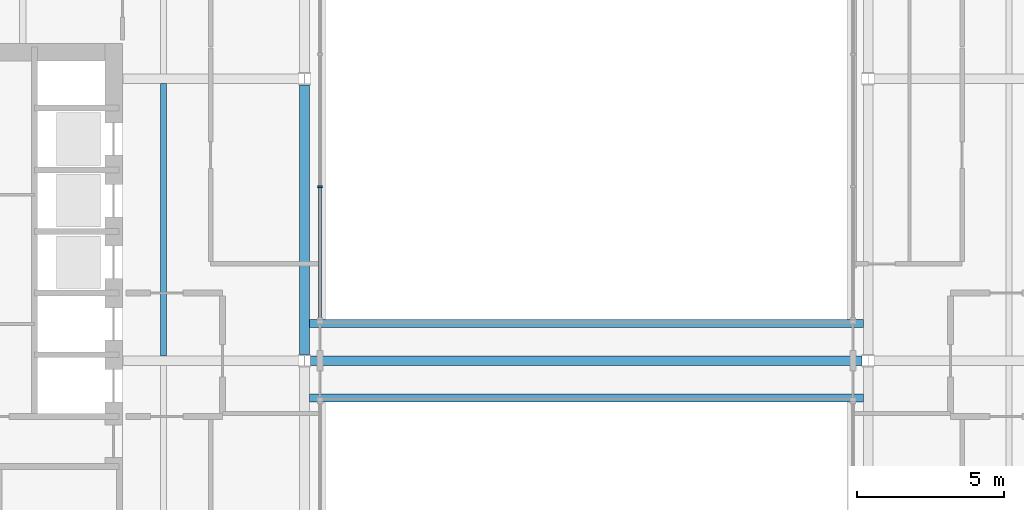
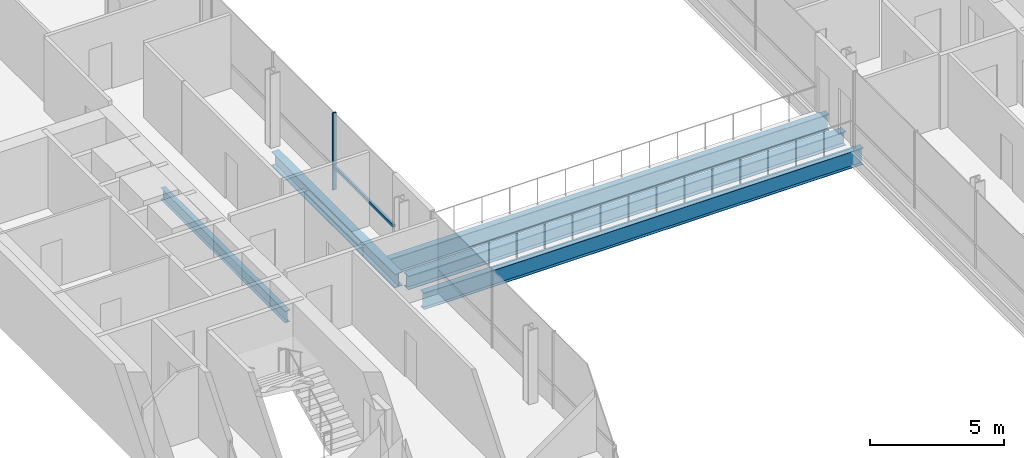
# One storey, part 3 of 19: 5 beams, 2 members, 1 element without a shape of its own.
"""IFC4 building model written with IfcOpenShell, lengths in metres."""

from ifc_helpers import new_model, si_unit, direction, frame, origin, origin_2d, place, context, subcontext, project, spatial, rectangle, i_section, extrude, material, material_profile, profile_set, type_object, element, aggregate, save


model = new_model("IFC4")

# Units and contexts
model_context = context("Model", 3, precision=1e-05, world=origin(), true_north=direction((0.0, 1.0)))
body_context = subcontext(model_context, "Body", "Model", "MODEL_VIEW")
ifc_project = project(units=[si_unit("LENGTHUNIT", "METRE"), si_unit("AREAUNIT", "SQUARE_METRE"), si_unit("VOLUMEUNIT", "CUBIC_METRE"), si_unit("PLANEANGLEUNIT", "RADIAN"), si_unit("MASSUNIT", "GRAM", prefix="KILO")], contexts=[model_context])

# Site, building, storey
site_placement = place(None, origin())
site = spatial("IfcSite", under=ifc_project, at=site_placement, CompositionType="ELEMENT")
building_placement = place(site_placement, origin())
building = spatial("IfcBuilding", under=site, at=building_placement, Name="Cobrizo Arcos Hotel Tower", CompositionType="ELEMENT")
storey_placement = place(building_placement, frame((0.0, 0.0, 63.5)))
storey = spatial("IfcBuildingStorey", under=building, at=storey_placement, Name="L14", CompositionType="ELEMENT", Elevation=63.5)

# Curtain wall, members
ifc_material_1 = material(Name="Aluminium 6063-T6 anodised bronze", Category="aluminium")
curtain_wall_type = type_object("IfcCurtainWallType", Name="CW-F void screen", PredefinedType="NOTDEFINED", material=ifc_material_1)
curtain_wall_placement = place(storey_placement, origin())
curtain_wall = element("IfcCurtainWall", 1, at=curtain_wall_placement, inside=storey, type_object=curtain_wall_type, Name="CW-F L14 void screen A", PredefinedType="NOTDEFINED")
ifc_material_profile_1 = material_profile(ifc_material_1, rectangle(XDim=0.14990234375, YDim=0.06005859375, at=origin_2d()), Name="CW-F mullion 150x60")
ifc_profile_set_1 = profile_set([ifc_material_profile_1], Name="Aluminium 6063-T6 anodised bronze")
member_type_1 = type_object("IfcMemberType", Name="CW-F mullion 150x60", PredefinedType="MULLION", material=ifc_profile_set_1)
member_1_placement = place(storey_placement, frame((-9.074951171875, 5.919921875, 0.0), z_axis=(0.0, 0.0, 1.0), x_axis=(-1.0, 0.0, 0.0)))
member_1 = element("IfcMember", 2, at=member_1_placement, type_object=member_type_1, Name="CW-F mullion 5", PredefinedType="MULLION", context=body_context, shape_type="SweptSolid", body=[
    extrude(rectangle(XDim=0.14990234375, YDim=0.06005859375, at=origin_2d()), origin(), (0.0, 0.0, 1.0), 3.5),
])
ifc_material_profile_2 = material_profile(ifc_material_1, rectangle(XDim=0.10009765625, YDim=0.1201171875, at=origin_2d()), Name="CW-F transom 120x100")
ifc_profile_set_2 = profile_set([ifc_material_profile_2], Name="Aluminium 6063-T6 anodised bronze")
member_type_2 = type_object("IfcMemberType", Name="CW-F transom 120x100", PredefinedType="USERDEFINED", material=ifc_profile_set_2)
member_2_placement = place(storey_placement, frame((-9.074951171875, 5.889892578125, 1.050048828125), z_axis=(0.0, -1.0, 0.0), x_axis=(1.0, 0.0, 0.0)))
member_2 = element("IfcMember", 3, at=member_2_placement, type_object=member_type_2, Name="CW-F transom 2462", ObjectType="TRANSOM", PredefinedType="USERDEFINED", context=body_context, shape_type="SweptSolid", body=[
    extrude(rectangle(XDim=0.10009765625, YDim=0.1201171875, at=origin_2d()), origin(), (0.0, 0.0, 1.0), 4.429931640625),
])
aggregate(curtain_wall, [member_1, member_2])

# Beams
ifc_material_2 = material(Name="Steel ASTM A992 Grade 50", Category="steel")
ifc_material_profile_3 = material_profile(ifc_material_2, i_section(OverallWidth=0.209228515625, OverallDepth=0.533447265625, WebThickness=0.01025390625, FlangeThickness=0.015625, at=origin_2d()), Name="W21X62")
ifc_profile_set_3 = profile_set([ifc_material_profile_3], Name="Steel ASTM A992 Grade 50")
beam_type_1 = type_object("IfcBeamType", Name="W21X62 joist", PredefinedType="JOIST", material=ifc_profile_set_3)
beam_1_placement = place(storey_placement, frame((-14.39990234375, 0.163818359375, -0.416748046875), z_axis=(0.0, 1.0, 0.0), x_axis=(-1.0, 0.0, 0.0)))
element("IfcBeam", 4, at=beam_1_placement, inside=storey, type_object=beam_type_1, Name="Floor joist J1, L14, no. 005", PredefinedType="JOIST", context=body_context, shape_type="SweptSolid", body=[
    extrude(i_section(OverallWidth=0.209228515625, OverallDepth=0.533447265625, WebThickness=0.01025390625, FlangeThickness=0.015625, at=origin_2d()), origin(), (0.0, 0.0, 1.0), 9.272216796875),
])
ifc_material_profile_4 = material_profile(ifc_material_2, i_section(OverallWidth=0.32763671875, OverallDepth=0.622314453125, WebThickness=0.015380859375, FlangeThickness=0.0244140625, at=origin_2d()), Name="W24X131")
ifc_profile_set_4 = profile_set([ifc_material_profile_4], Name="Steel ASTM A992 Grade 50")
beam_type_2 = type_object("IfcBeamType", Name="W24X131 girder", PredefinedType="BEAM", material=ifc_profile_set_4)
beam_2_placement = place(storey_placement, frame((-9.3955078125, 0.0, -0.461181640625), z_axis=(1.0, 0.0, 0.0), x_axis=(0.0, 1.0, 0.0)))
element("IfcBeam", 5, at=beam_2_placement, inside=storey, type_object=beam_type_2, Name="Floor girder G1, L14, no. 004", PredefinedType="BEAM", context=body_context, shape_type="SweptSolid", body=[
    extrude(i_section(OverallWidth=0.32763671875, OverallDepth=0.622314453125, WebThickness=0.015380859375, FlangeThickness=0.0244140625, at=origin_2d()), origin(), (0.0, 0.0, 1.0), 18.791015625),
])
beam_3_placement = place(storey_placement, frame((-9.60009765625, 0.204345703125, -0.461181640625), z_axis=(0.0, 1.0, 0.0), x_axis=(-1.0, 0.0, 0.0)))
element("IfcBeam", 6, at=beam_3_placement, inside=storey, type_object=beam_type_2, Name="Floor girder G1, L14, no. 010", PredefinedType="BEAM", context=body_context, shape_type="SweptSolid", body=[
    extrude(i_section(OverallWidth=0.32763671875, OverallDepth=0.622314453125, WebThickness=0.015380859375, FlangeThickness=0.0244140625, at=origin_2d()), origin(), (0.0, 0.0, 1.0), 9.191162109375),
])
ifc_material_profile_5 = material_profile(ifc_material_2, i_section(OverallWidth=0.2666015625, OverallDepth=0.7568359375, WebThickness=0.013916015625, FlangeThickness=0.019287109375, at=origin_2d()), Name="W30X108")
ifc_profile_set_5 = profile_set([ifc_material_profile_5], Name="Steel ASTM A992 Grade 50")
beam_type_3 = type_object("IfcBeamType", Name="W30X108 bridge girder", PredefinedType="BEAM", material=ifc_profile_set_5)
for number, where, z_axis, x_axis, name in (
    (7, (-9.43603515625, -1.2666015625, -0.5283203125), (1.0, 0.0, 0.0), (0.0, 1.0, 0.0), "Bridge girder BG1, L14, no. 001"),
    (8, (-9.43603515625, 1.2666015625, -0.5283203125), (1.0, 0.0, 0.0), (0.0, 1.0, 0.0), "Bridge girder BG1, L14, no. 002"),
):
    element("IfcBeam", number, at=place(storey_placement, frame(where, z_axis=z_axis, x_axis=x_axis)), inside=storey, type_object=beam_type_3, Name=name, PredefinedType="BEAM", context=body_context, shape_type="SweptSolid", body=[
        extrude(i_section(OverallWidth=0.2666015625, OverallDepth=0.7568359375, WebThickness=0.013916015625, FlangeThickness=0.019287109375, at=origin_2d()), origin(), (0.0, 0.0, 1.0), 18.8720703125),
    ])

save(model, "model.ifc")
